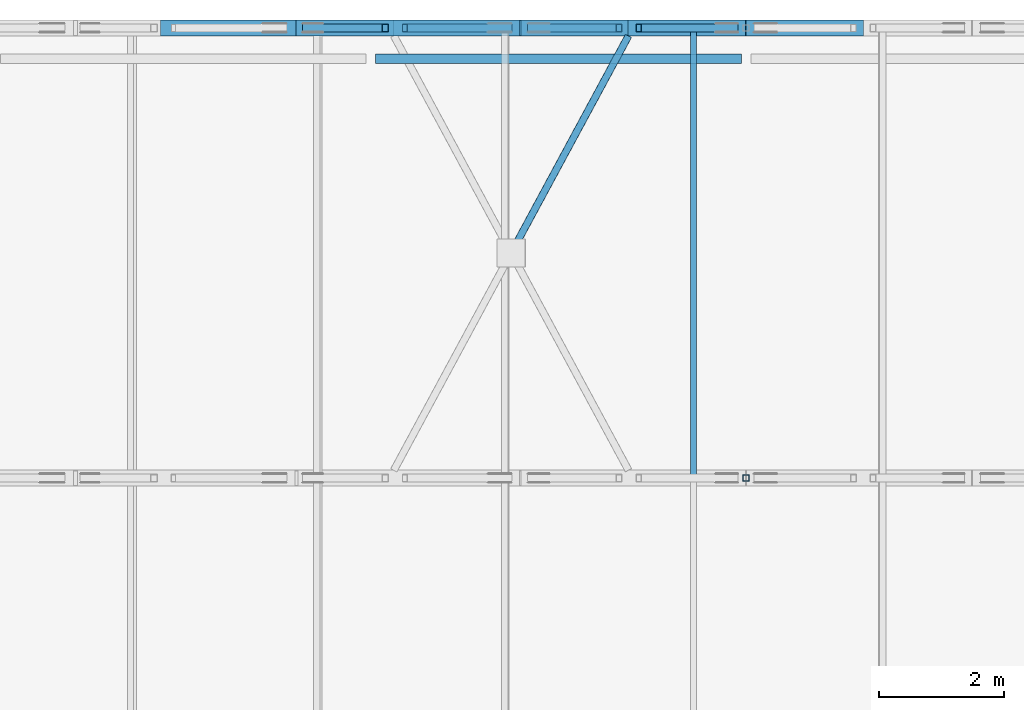
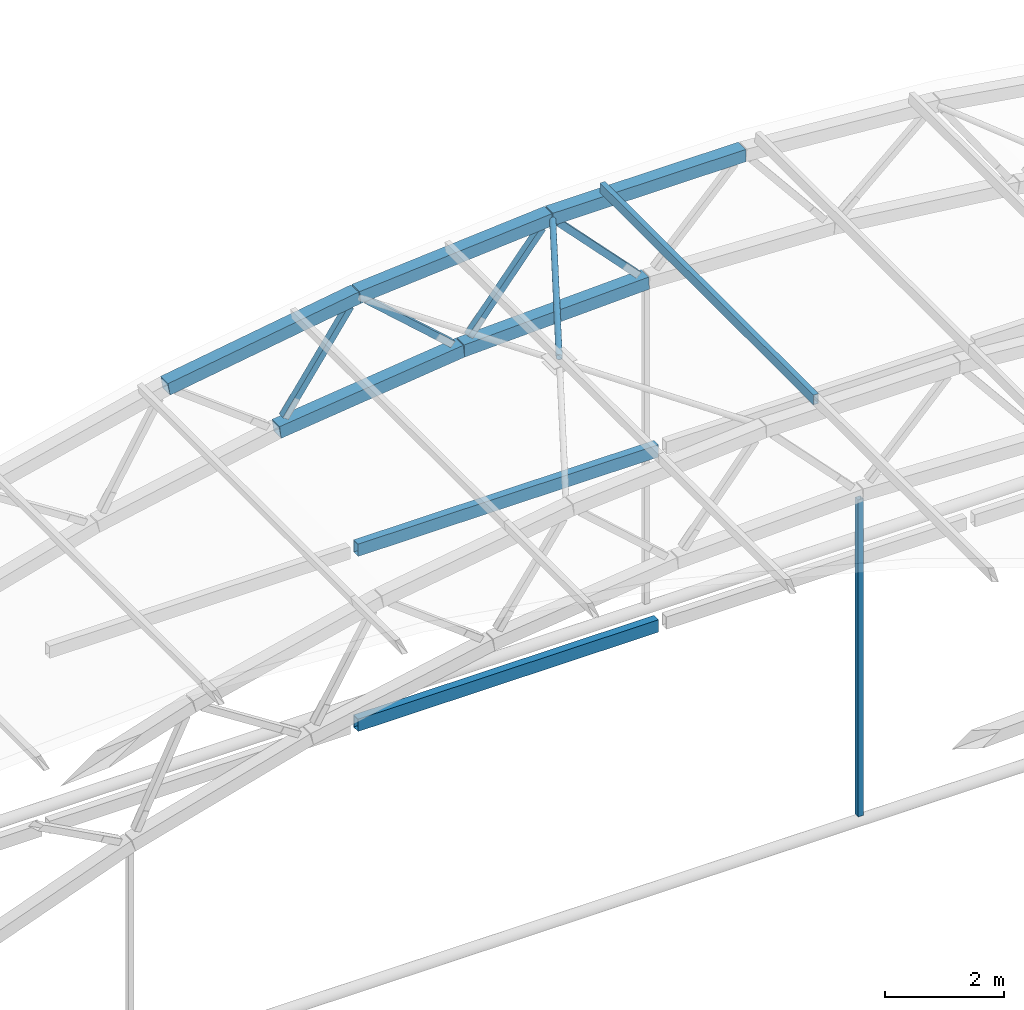
# One storey, part 63 of 127: 12 members, 2 beams.
"""IFC4 building model written with IfcOpenShell, lengths in metres."""

from ifc_helpers import new_model, si_unit, direction, frame, origin, origin_2d, place, context, subcontext, project, spatial, hollow_rectangle, hollow_circle, extrude, material, material_profile, profile_set, type_object, element, save


model = new_model("IFC4")

# Units and contexts
model_context = context("Model", 3, precision=1e-05, world=origin(), true_north=direction((0.0, 1.0)))
body_context = subcontext(model_context, "Body", "Model", "MODEL_VIEW")
ifc_project = project(units=[si_unit("LENGTHUNIT", "METRE"), si_unit("AREAUNIT", "SQUARE_METRE"), si_unit("VOLUMEUNIT", "CUBIC_METRE"), si_unit("PLANEANGLEUNIT", "RADIAN"), si_unit("MASSUNIT", "GRAM", prefix="KILO")], contexts=[model_context])

# Site, building, storey
site_placement = place(None, origin())
site = spatial("IfcSite", under=ifc_project, at=site_placement, CompositionType="ELEMENT")
building_placement = place(site_placement, origin())
building = spatial("IfcBuilding", under=site, at=building_placement, Name="Verrick Yard Athletic Hall", CompositionType="ELEMENT")
storey_placement = place(building_placement, frame((0.0, 0.0, 14.0)))
storey = spatial("IfcBuildingStorey", under=building, at=storey_placement, Name="L03", CompositionType="ELEMENT", Elevation=14.0)

# Members
ifc_material = material(Name="Structural steel HSS Class C 350W (CSA G40.20/G40.21)", Category="steel")
ifc_material_profile_1 = material_profile(ifc_material, hollow_rectangle(XDim=0.25390625, YDim=0.25390625, WallThickness=0.009521484375, at=origin_2d()), Name="HSS254x254x9.5")
ifc_profile_set_1 = profile_set([ifc_material_profile_1], Name="Structural steel HSS Class C 350W (CSA G40.20/G40.21)")
member_type_1 = type_object("IfcMemberType", Name="HB bottom chord HSS254x254x9.5", PredefinedType="CHORD", material=ifc_profile_set_1)
member_1_placement = place(storey_placement, frame((138.42041015625, 108.0, 6.193359375), z_axis=(0.993094882284, 0.0, 0.117313915545), x_axis=(0.0, 1.0, 0.0)))
element("IfcMember", 1, at=member_1_placement, inside=storey, type_object=member_type_1, Name="Truss TA6 bottom chord 6", PredefinedType="CHORD", context=body_context, shape_type="SweptSolid", body=[
    extrude(hollow_rectangle(XDim=0.25390625, YDim=0.25390625, WallThickness=0.009521484375, at=origin_2d()), origin(), (0.0, 0.0, 1.0), 3.59619140625),
])
member_2_placement = place(storey_placement, frame((142.001708984375, 108.0, 6.615966796875), z_axis=(0.999229759959, 0.0, 0.039241391579), x_axis=(0.0, 1.0, 0.0)))
element("IfcMember", 2, at=member_2_placement, inside=storey, type_object=member_type_1, Name="Truss TA6 bottom chord 7", PredefinedType="CHORD", context=body_context, shape_type="SweptSolid", body=[
    extrude(hollow_rectangle(XDim=0.25390625, YDim=0.25390625, WallThickness=0.009521484375, at=origin_2d()), origin(), (0.0, 0.0, 1.0), 3.595947265625),
])
ifc_material_profile_2 = material_profile(ifc_material, hollow_rectangle(XDim=0.1015625, YDim=0.203125, WallThickness=0.009521484375, at=origin_2d()), Name="HSS203x102x9.5")
ifc_profile_set_2 = profile_set([ifc_material_profile_2], Name="Structural steel HSS Class C 350W (CSA G40.20/G40.21)")
member_type_2 = type_object("IfcMemberType", Name="HB purlin HSS203x102x9.5", PredefinedType="PURLIN", material=ifc_profile_set_2)
member_3_placement = place(storey_placement, frame((144.759765625, 100.800048828125, 8.948974609375), z_axis=(0.0, 1.0, 0.0), x_axis=(-1.0, 0.0, 0.0)))
element("IfcMember", 3, at=member_3_placement, inside=storey, type_object=member_type_2, Name="HB-PU-A-5-9", PredefinedType="PURLIN", context=body_context, shape_type="SweptSolid", body=[
    extrude(hollow_rectangle(XDim=0.1015625, YDim=0.203125, WallThickness=0.009521484375, at=origin_2d()), origin(), (0.0, 0.0, 1.0), 7.199951171875),
])
ifc_material_profile_3 = material_profile(ifc_material, hollow_circle(Radius=0.05712890625, WallThickness=0.00634765625, at=origin_2d()), Name="HSS114x6.4")
ifc_profile_set_3 = profile_set([ifc_material_profile_3], Name="Structural steel HSS Class C 350W (CSA G40.20/G40.21)")
member_type_3 = type_object("IfcMemberType", Name="HB roof brace HSS114x6.4", PredefinedType="BRACE", material=ifc_profile_set_3)
member_4_placement = place(storey_placement, frame((141.89306640625, 104.49267578125, 8.576904296875), z_axis=(0.474826532097, 0.879289576489, 0.037277407294), x_axis=(-0.879901146581, 0.475156787013, 0.0)))
element("IfcMember", 4, at=member_4_placement, inside=storey, type_object=member_type_3, Name="HB-BR-A-5-5b2", PredefinedType="BRACE", context=body_context, shape_type="SweptSolid", body=[
    extrude(hollow_circle(Radius=0.05712890625, WallThickness=0.00634765625, at=origin_2d()), origin(), (0.0, 0.0, 1.0), 3.844482421875),
])
ifc_material_profile_4 = material_profile(ifc_material, hollow_rectangle(XDim=0.25390625, YDim=0.25390625, WallThickness=0.009521484375, at=origin_2d()), Name="HSS254x254x9.5")
ifc_profile_set_4 = profile_set([ifc_material_profile_4], Name="Structural steel HSS Class C 350W (CSA G40.20/G40.21)")
member_type_4 = type_object("IfcMemberType", Name="HB top chord HSS254x254x9.5", PredefinedType="CHORD", material=ifc_profile_set_4)
for number, where, z_axis, x_axis, name in (
    (5, (136.255615234375, 108.0, 7.838623046875), (0.987726014692, 0.0, 0.156196414495), (0.0, 1.0, 0.0), "Truss TA6 top chord 6"),
    (6, (139.97216796875, 108.0, 8.426025390625), (0.996928028323, 0.0, 0.078323089468), (0.0, 1.0, 0.0), "Truss TA6 top chord 7"),
):
    element("IfcMember", number, at=place(storey_placement, frame(where, z_axis=z_axis, x_axis=x_axis)), inside=storey, type_object=member_type_4, Name=name, PredefinedType="CHORD", context=body_context, shape_type="SweptSolid", body=[
        extrude(hollow_rectangle(XDim=0.25390625, YDim=0.25390625, WallThickness=0.009521484375, at=origin_2d()), origin(), (0.0, 0.0, 1.0), 3.7529296875),
    ])
member_5_placement = place(storey_placement, frame((143.7236328125, 108.0, 8.72021484375), z_axis=(1.0, 0.0, 0.0), x_axis=(0.0, 1.0, 0.0)))
element("IfcMember", 7, at=member_5_placement, inside=storey, type_object=member_type_4, Name="Truss TA6 top chord 8", PredefinedType="CHORD", context=body_context, shape_type="SweptSolid", body=[
    extrude(hollow_rectangle(XDim=0.25390625, YDim=0.25390625, WallThickness=0.009521484375, at=origin_2d()), origin(), (0.0, 0.0, 1.0), 3.752685546875),
])
ifc_material_profile_5 = material_profile(ifc_material, hollow_rectangle(XDim=0.1015625, YDim=0.1015625, WallThickness=0.00634765625, at=origin_2d()), Name="HSS102x102x6.4")
ifc_profile_set_5 = profile_set([ifc_material_profile_5], Name="Structural steel HSS Class C 350W (CSA G40.20/G40.21)")
member_type_5 = type_object("IfcMemberType", Name="HB truss hanger HSS102x102x6.4", PredefinedType="MEMBER", material=ifc_profile_set_5)
member_6_placement = place(storey_placement, frame((145.60009765625, 100.800048828125, 6.628173828125), z_axis=(0.0, 0.0, -1.0), x_axis=(0.0, -1.0, 0.0)))
element("IfcMember", 8, at=member_6_placement, inside=storey, type_object=member_type_5, Name="Truss TA5 hanger 2", PredefinedType="MEMBER", context=body_context, shape_type="SweptSolid", body=[
    extrude(hollow_rectangle(XDim=0.1015625, YDim=0.1015625, WallThickness=0.00634765625, at=origin_2d()), origin(), (0.0, 0.0, 1.0), 6.5185546875),
])
ifc_material_profile_6 = material_profile(ifc_material, hollow_rectangle(XDim=0.126953125, YDim=0.126953125, WallThickness=0.009521484375, at=origin_2d()), Name="HSS127x127x9.5")
ifc_profile_set_6 = profile_set([ifc_material_profile_6], Name="Structural steel HSS Class C 350W (CSA G40.20/G40.21)")
member_type_6 = type_object("IfcMemberType", Name="HB truss web HSS127x127x9.5", PredefinedType="BRACE", material=ifc_profile_set_6)
for number, where, z_axis, x_axis, name in (
    (9, (138.5576171875, 108.0, 6.39697265625), (0.570664111571, 0.0, 0.821183579819), (0.0, 1.0, 0.0), "Truss TA6 web 11"),
    (10, (140.14404296875, 108.0, 8.26806640625), (0.746340924984, 0.0, -0.665563838932), (0.0, 1.0, 0.0), "Truss TA6 web 12"),
    (11, (142.154296875, 108.0, 6.808349609375), (0.633202076169, 0.0, 0.773986518445), (0.0, 1.0, 0.0), "Truss TA6 web 13"),
    (12, (143.88232421875, 108.0, 8.54931640625), (0.691974203846, 0.0, -0.721922226568), (0.0, 1.0, 0.0), "Truss TA6 web 14"),
):
    element("IfcMember", number, at=place(storey_placement, frame(where, z_axis=z_axis, x_axis=x_axis)), inside=storey, type_object=member_type_6, Name=name, PredefinedType="BRACE", context=body_context, shape_type="SweptSolid", body=[
        extrude(hollow_rectangle(XDim=0.126953125, YDim=0.126953125, WallThickness=0.009521484375, at=origin_2d()), origin(), (0.0, 0.0, 1.0), 2.233642578125),
    ])

# Beams
ifc_material_profile_7 = material_profile(ifc_material, hollow_rectangle(XDim=0.15234375, YDim=0.25390625, WallThickness=0.009521484375, at=origin_2d()), Name="HSS254x152x9.5")
ifc_profile_set_7 = profile_set([ifc_material_profile_7], Name="Structural steel HSS Class C 350W (CSA G40.20/G40.21)")
beam_type = type_object("IfcBeamType", Name="HB wind girder HSS254x152x9.5", PredefinedType="BEAM", material=ifc_profile_set_7)
for number, where, z_axis, x_axis, name in (
    (13, (139.67626953125, 107.50537109375, 0.0), (1.0, 0.0, 0.0), (0.0, 1.0, 0.0), "HB-WG-AN-140-3"),
    (14, (139.67626953125, 107.50537109375, 3.60009765625), (1.0, 0.0, 0.0), (0.0, 1.0, 0.0), "HB-WG-AN-176-2"),
):
    element("IfcBeam", number, at=place(storey_placement, frame(where, z_axis=z_axis, x_axis=x_axis)), inside=storey, type_object=beam_type, Name=name, PredefinedType="BEAM", context=body_context, shape_type="SweptSolid", body=[
        extrude(hollow_rectangle(XDim=0.15234375, YDim=0.25390625, WallThickness=0.009521484375, at=origin_2d()), origin(), (0.0, 0.0, 1.0), 5.847412109375),
    ])

save(model, "model.ifc")
